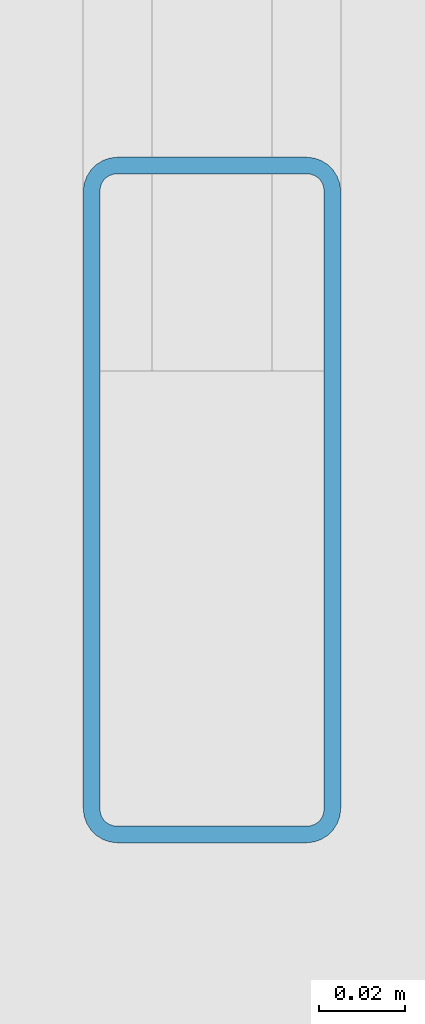
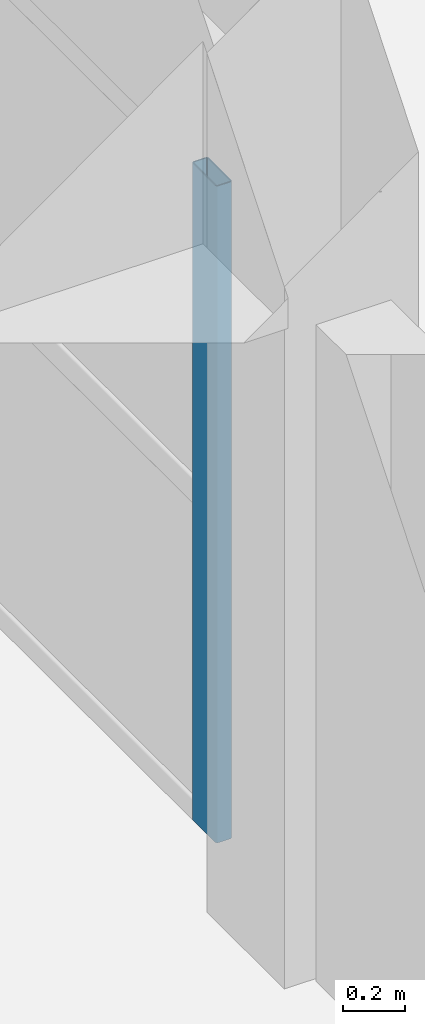
# One storey, part 12 of 82: 1 member, 1 element without a shape of its own.
"""IFC4 building model written with IfcOpenShell, lengths in metres."""

import ifcopenshell
import ifcopenshell.guid

model = None  # the IFC model being written
_history = None  # IfcOwnerHistory: only IFC2X3 demands one
_inside = {}  # id of a spatial element -> (the spatial element, [elements in it])
_under = {}  # id of a project, library or spatial element -> (it, [spatial elements below it])
_declared = {}  # id of a project -> (the project, [libraries it declares])
_typed = {}  # id of a type object -> (the type object, [elements of that type])
_made_of = {}  # id of a material, layer set ... -> (it, [elements and type objects made of it])


def new_model(schema):
    """Start an empty IFC model of exactly this schema.

    Asked for "IFC4X3", IfcOpenShell would pick the latest addendum, in which some entities
    have other attributes; the version numbers below select the first issue.
    IFC2X3 requires an IfcOwnerHistory on every rooted entity: one is made here for all.
    """
    global model, _history
    if schema == "IFC4X3":
        model = ifcopenshell.file(schema_version=(4, 3, 0, 0))
    else:
        model = ifcopenshell.file(schema=schema)
    _inside.clear()
    _under.clear()
    _declared.clear()
    _typed.clear()
    _made_of.clear()
    _history = None
    if model.schema == "IFC2X3":
        org = make("IfcOrganization", Name="unknown")
        user = make(
            "IfcPersonAndOrganization",
            ThePerson=make("IfcPerson", FamilyName="unknown"),
            TheOrganization=org,
        )
        app = make(
            "IfcApplication",
            ApplicationDeveloper=org,
            Version="unknown",
            ApplicationFullName="unknown",
            ApplicationIdentifier="unknown",
        )
        _history = make(
            "IfcOwnerHistory",
            OwningUser=user,
            OwningApplication=app,
            ChangeAction="ADDED",
            CreationDate=0,
        )
    return model


def make(cls, **values):
    """One entity of the class cls with the attributes given. An attribute that is None is left unset."""
    return model.create_entity(
        cls, **{name: value for name, value in values.items() if value is not None}
    )


def rooted(cls, **values):
    """An entity with a GlobalId (a new one), such as an element, a storey or a relation."""
    return make(cls, GlobalId=ifcopenshell.guid.new(), OwnerHistory=_history, **values)


def si_unit(unit_type, name, prefix=None):
    """IfcSIUnit, for example si_unit("LENGTHUNIT", "METRE", prefix="MILLI")."""
    return make("IfcSIUnit", UnitType=unit_type, Prefix=prefix, Name=name)


def assignment(units):
    """IfcUnitAssignment: the units of a project."""
    return None if units is None else make("IfcUnitAssignment", Units=units)


def point(xyz):
    """IfcCartesianPoint."""
    return None if xyz is None else make("IfcCartesianPoint", Coordinates=xyz)


def direction(xyz):
    """IfcDirection."""
    return None if xyz is None else make("IfcDirection", DirectionRatios=xyz)


def frame(location, z_axis=None, x_axis=None):
    """IfcAxis2Placement3D, a coordinate frame: its origin and axes. An axis left out is left unset."""
    return make(
        "IfcAxis2Placement3D",
        Location=point(location),
        Axis=direction(z_axis),
        RefDirection=direction(x_axis),
    )


def frame_2d(location, x_axis=None):
    """IfcAxis2Placement2D, a coordinate frame in the plane: its origin and x axis."""
    return make(
        "IfcAxis2Placement2D", Location=point(location), RefDirection=direction(x_axis)
    )


def origin():
    """The frame at (0, 0, 0) with its axes left unset."""
    return frame((0.0, 0.0, 0.0))


def origin_2d():
    """The frame at (0, 0) in the plane with its x axis left unset."""
    return frame_2d((0.0, 0.0))


def place(relative_to, where):
    """IfcLocalPlacement: puts the frame where relative to a parent placement (None: the world)."""
    return make(
        "IfcLocalPlacement", PlacementRelTo=relative_to, RelativePlacement=where
    )


def context(
    kind, dimensions, precision=None, world=None, true_north=None, identifier=None
):
    """IfcGeometricRepresentationContext, for example the 3D "Model" context."""
    return make(
        "IfcGeometricRepresentationContext",
        ContextIdentifier=identifier,
        ContextType=kind,
        CoordinateSpaceDimension=dimensions,
        Precision=precision,
        WorldCoordinateSystem=world,
        TrueNorth=true_north,
    )


def subcontext(parent, identifier, kind, view, scale=None):
    """IfcGeometricRepresentationSubContext, for example "Body" below "Model"."""
    return make(
        "IfcGeometricRepresentationSubContext",
        ContextIdentifier=identifier,
        ContextType=kind,
        ParentContext=parent,
        TargetScale=scale,
        TargetView=view,
    )


def project(units=None, contexts=None):
    """IfcProject with its units and contexts."""
    return rooted(
        "IfcProject",
        Name="project",
        RepresentationContexts=contexts,
        UnitsInContext=assignment(units),
    )


def spatial(cls, under=None, at=None, **own):
    """A site, building, storey or space (cls), placed at a placement, below another one or the project."""
    s = rooted(cls, ObjectPlacement=at, **own)
    if under is not None:
        _under.setdefault(under.id(), (under, []))[1].append(s)
    return s


def profile(cls, at=None, kind="AREA", **sizes):
    """A parametric profile (cls). Its sizes go by their IFC names, for example OverallWidth=200.0."""
    return make(cls, ProfileType=kind, Position=at, **sizes)


def hollow_rectangle(**sizes):
    """IfcRectangleHollowProfileDef."""
    return profile("IfcRectangleHollowProfileDef", **sizes)


def extrude(swept, where, along, depth):
    """IfcExtrudedAreaSolid: the profile swept, set in the frame where, extruded along a direction by depth."""
    return make(
        "IfcExtrudedAreaSolid",
        SweptArea=swept,
        Position=where,
        ExtrudedDirection=direction(along),
        Depth=depth,
    )


def shape(context_of_items, identifier, shape_type, items):
    """IfcShapeRepresentation: the items that make up one representation, for example the "Body"."""
    return make(
        "IfcShapeRepresentation",
        ContextOfItems=context_of_items,
        RepresentationIdentifier=identifier,
        RepresentationType=shape_type,
        Items=items,
    )


def material(Name=None, Category=None):
    """IfcMaterial."""
    return make("IfcMaterial", Name=Name, Category=Category)


def material_profile(
    of_material, cross_section, Name=None, Category=None, Priority=None
):
    """IfcMaterialProfile: a cross section and its material."""
    return make(
        "IfcMaterialProfile",
        Name=Name,
        Material=of_material,
        Profile=cross_section,
        Priority=Priority,
        Category=Category,
    )


def profile_set(profiles, Name=None, composite=None):
    """IfcMaterialProfileSet."""
    return make(
        "IfcMaterialProfileSet",
        Name=Name,
        MaterialProfiles=profiles,
        CompositeProfile=composite,
    )


def made_of(thing, what):
    """Note that an element or type object is made of a material, layer set ...; save() writes the relation."""
    if what is not None:
        _made_of.setdefault(what.id(), (what, []))[1].append(thing)
    return thing


def type_object(cls, material=None, **own):
    """A type object (cls), such as IfcWallType, which elements share."""
    return made_of(rooted(cls, **own), material)


def element(
    cls,
    number,
    at=None,
    inside=None,
    cuts=None,
    type_object=None,
    material=None,
    context=None,
    identifier="Body",
    shape_type=None,
    held_by="IfcProductDefinitionShape",
    body=None,
    shapes=None,
    **own,
):
    """One element of the class cls, such as IfcWall. Its Tag is "e" and its number.

    at: its placement. inside: the storey or other place that contains it. cuts: it is an
    opening in that element (IfcRelVoidsElement). A single representation is given by context,
    identifier, shape_type and body (its items); several are given by shapes. held_by: the class
    of the entity that holds the representations. save() writes the other relations.
    """
    e = rooted(cls, Tag="e%d" % number, ObjectPlacement=at, **own)
    if body is not None:
        shapes = [shape(context, identifier, shape_type, body)]
    if shapes is not None:
        e.Representation = make(held_by, Representations=shapes)
    if inside is not None:
        _inside.setdefault(inside.id(), (inside, []))[1].append(e)
    if cuts is not None:
        rooted(
            "IfcRelVoidsElement", RelatingBuildingElement=cuts, RelatedOpeningElement=e
        )
    if type_object is not None:
        _typed.setdefault(type_object.id(), (type_object, []))[1].append(e)
    return made_of(e, material)


def aggregate(whole, parts):
    """IfcRelAggregates: a whole, such as a stair, and the parts it consists of."""
    return rooted("IfcRelAggregates", RelatingObject=whole, RelatedObjects=parts)


def save(model, path):
    """Write the relations noted so far, then the file.

    IfcRelAggregates (storeys below a building ...), IfcRelContainedInSpatialStructure (elements
    in a storey), IfcRelDefinesByType, IfcRelAssociatesMaterial and IfcRelDeclares: one each for
    every whole, place, type object, material and project.
    """
    for whole, parts in _under.values():
        aggregate(whole, parts)
    for where, things in _inside.values():
        rooted(
            "IfcRelContainedInSpatialStructure",
            RelatedElements=things,
            RelatingStructure=where,
        )
    for kind, things in _typed.values():
        rooted("IfcRelDefinesByType", RelatedObjects=things, RelatingType=kind)
    for what, things in _made_of.values():
        rooted("IfcRelAssociatesMaterial", RelatedObjects=things, RelatingMaterial=what)
    for by, libraries in _declared.values():
        rooted("IfcRelDeclares", RelatingContext=by, RelatedDefinitions=libraries)
    model.write(path)


model = new_model("IFC4")

# Units and contexts
model_context = context("Model", 3, precision=1e-05, world=origin(), true_north=direction((0.0, 1.0)))
body_context = subcontext(model_context, "Body", "Model", "MODEL_VIEW")
ifc_project = project(units=[si_unit("LENGTHUNIT", "METRE"), si_unit("AREAUNIT", "SQUARE_METRE"), si_unit("VOLUMEUNIT", "CUBIC_METRE"), si_unit("PLANEANGLEUNIT", "RADIAN"), si_unit("MASSUNIT", "GRAM", prefix="KILO")], contexts=[model_context])

# Site, building, storey
site_placement = place(None, origin())
site = spatial("IfcSite", under=ifc_project, at=site_placement, CompositionType="ELEMENT")
building_placement = place(site_placement, origin())
building = spatial("IfcBuilding", under=site, at=building_placement, Name="Qasida Concert Hall", CompositionType="ELEMENT")
storey_placement = place(building_placement, frame((0.0, 0.0, 17.10009765625)))
storey = spatial("IfcBuildingStorey", under=building, at=storey_placement, Name="L04", CompositionType="ELEMENT", Elevation=17.10009765625)

# Curtain wall, member
ifc_material_1 = material(Name="Architectural bronze-anodized aluminium and low-E glass", Category="aluminium")
curtain_wall_type = type_object("IfcCurtainWallType", Name="CW-12", PredefinedType="NOTDEFINED", material=ifc_material_1)
curtain_wall_placement = place(storey_placement, origin())
curtain_wall = element("IfcCurtainWall", 1, at=curtain_wall_placement, inside=storey, type_object=curtain_wall_type, Name="L04 curtain wall CW-12 0138", PredefinedType="NOTDEFINED")
ifc_material_2 = material(Name="Architectural bronze-anodized aluminium EN AW-6063", Category="aluminium")
ifc_material_profile = material_profile(ifc_material_2, hollow_rectangle(XDim=0.06005859375, YDim=0.159912109375, WallThickness=0.00390625, InnerFilletRadius=0.00390625, OuterFilletRadius=0.008056640625, at=origin_2d()), Name="CWM 160x60x4")
ifc_profile_set = profile_set([ifc_material_profile], Name="Architectural bronze-anodized aluminium EN AW-6063")
member_type = type_object("IfcMemberType", Name="MB-CWM-3", PredefinedType="MULLION", material=ifc_profile_set)
member_placement = place(storey_placement, frame((30.0, 45.64990234375, 0.0), z_axis=(0.0, 0.0, 1.0), x_axis=(-1.0, 0.0, 0.0)))
member = element("IfcMember", 2, at=member_placement, type_object=member_type, Name="CW-12 mullion 1", PredefinedType="MULLION", context=body_context, shape_type="SweptSolid", body=[
    extrude(hollow_rectangle(XDim=0.06005859375, YDim=0.159912109375, WallThickness=0.00390625, InnerFilletRadius=0.00390625, OuterFilletRadius=0.008056640625, at=origin_2d()), origin(), (0.0, 0.0, 1.0), 2.58984375),
])
aggregate(curtain_wall, [member])

save(model, "model.ifc")
